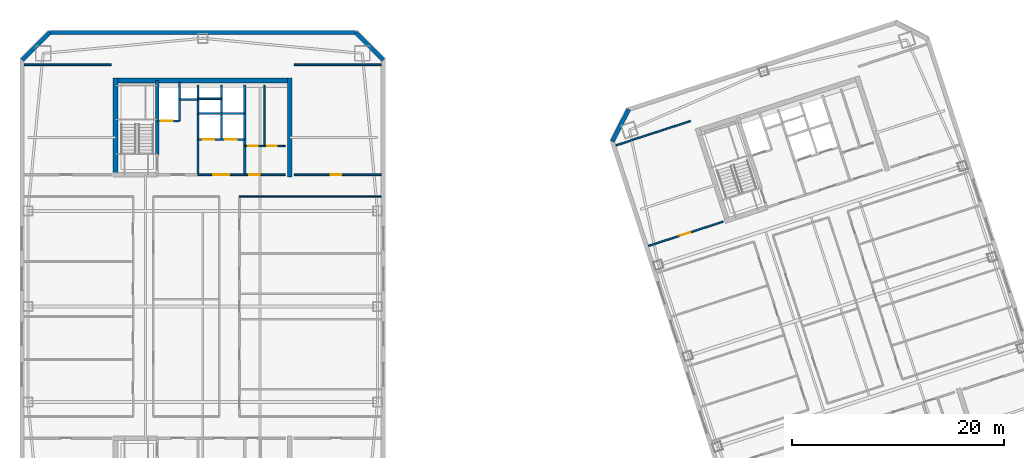
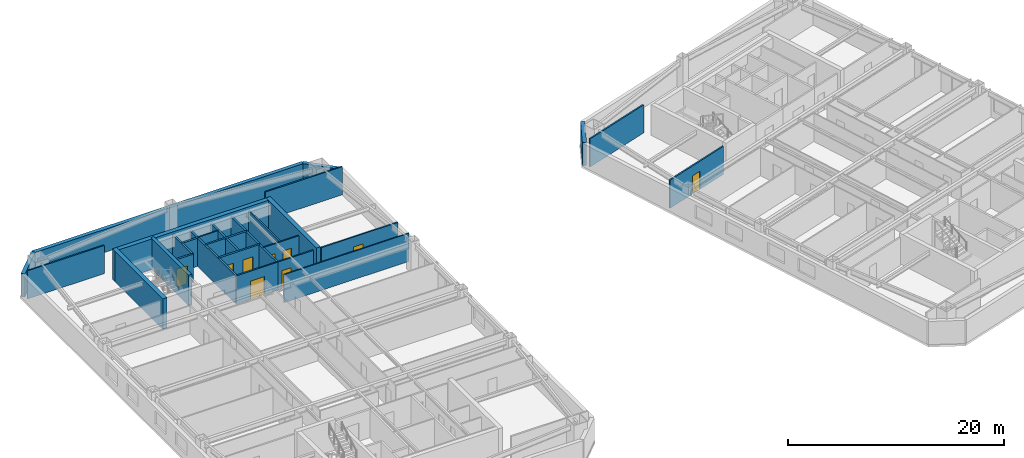
# One storey, part 7 of 13: 27 walls, 9 doors, 9 openings.
"""IFC4 building model written with IfcOpenShell, lengths in metres."""

import ifcopenshell
import ifcopenshell.guid

model = None  # the IFC model being written
_history = None  # IfcOwnerHistory: only IFC2X3 demands one
_inside = {}  # id of a spatial element -> (the spatial element, [elements in it])
_under = {}  # id of a project, library or spatial element -> (it, [spatial elements below it])
_declared = {}  # id of a project -> (the project, [libraries it declares])
_typed = {}  # id of a type object -> (the type object, [elements of that type])
_made_of = {}  # id of a material, layer set ... -> (it, [elements and type objects made of it])


def new_model(schema):
    """Start an empty IFC model of exactly this schema.

    Asked for "IFC4X3", IfcOpenShell would pick the latest addendum, in which some entities
    have other attributes; the version numbers below select the first issue.
    IFC2X3 requires an IfcOwnerHistory on every rooted entity: one is made here for all.
    """
    global model, _history
    if schema == "IFC4X3":
        model = ifcopenshell.file(schema_version=(4, 3, 0, 0))
    else:
        model = ifcopenshell.file(schema=schema)
    _inside.clear()
    _under.clear()
    _declared.clear()
    _typed.clear()
    _made_of.clear()
    _history = None
    if model.schema == "IFC2X3":
        org = make("IfcOrganization", Name="unknown")
        user = make(
            "IfcPersonAndOrganization",
            ThePerson=make("IfcPerson", FamilyName="unknown"),
            TheOrganization=org,
        )
        app = make(
            "IfcApplication",
            ApplicationDeveloper=org,
            Version="unknown",
            ApplicationFullName="unknown",
            ApplicationIdentifier="unknown",
        )
        _history = make(
            "IfcOwnerHistory",
            OwningUser=user,
            OwningApplication=app,
            ChangeAction="ADDED",
            CreationDate=0,
        )
    return model


def make(cls, **values):
    """One entity of the class cls with the attributes given. An attribute that is None is left unset."""
    return model.create_entity(
        cls, **{name: value for name, value in values.items() if value is not None}
    )


def rooted(cls, **values):
    """An entity with a GlobalId (a new one), such as an element, a storey or a relation."""
    return make(cls, GlobalId=ifcopenshell.guid.new(), OwnerHistory=_history, **values)


def si_unit(unit_type, name, prefix=None):
    """IfcSIUnit, for example si_unit("LENGTHUNIT", "METRE", prefix="MILLI")."""
    return make("IfcSIUnit", UnitType=unit_type, Prefix=prefix, Name=name)


def assignment(units):
    """IfcUnitAssignment: the units of a project."""
    return None if units is None else make("IfcUnitAssignment", Units=units)


def point(xyz):
    """IfcCartesianPoint."""
    return None if xyz is None else make("IfcCartesianPoint", Coordinates=xyz)


def direction(xyz):
    """IfcDirection."""
    return None if xyz is None else make("IfcDirection", DirectionRatios=xyz)


def frame(location, z_axis=None, x_axis=None):
    """IfcAxis2Placement3D, a coordinate frame: its origin and axes. An axis left out is left unset."""
    return make(
        "IfcAxis2Placement3D",
        Location=point(location),
        Axis=direction(z_axis),
        RefDirection=direction(x_axis),
    )


def frame_2d(location, x_axis=None):
    """IfcAxis2Placement2D, a coordinate frame in the plane: its origin and x axis."""
    return make(
        "IfcAxis2Placement2D", Location=point(location), RefDirection=direction(x_axis)
    )


def origin():
    """The frame at (0, 0, 0) with its axes left unset."""
    return frame((0.0, 0.0, 0.0))


def place(relative_to, where):
    """IfcLocalPlacement: puts the frame where relative to a parent placement (None: the world)."""
    return make(
        "IfcLocalPlacement", PlacementRelTo=relative_to, RelativePlacement=where
    )


def context(
    kind, dimensions, precision=None, world=None, true_north=None, identifier=None
):
    """IfcGeometricRepresentationContext, for example the 3D "Model" context."""
    return make(
        "IfcGeometricRepresentationContext",
        ContextIdentifier=identifier,
        ContextType=kind,
        CoordinateSpaceDimension=dimensions,
        Precision=precision,
        WorldCoordinateSystem=world,
        TrueNorth=true_north,
    )


def subcontext(parent, identifier, kind, view, scale=None):
    """IfcGeometricRepresentationSubContext, for example "Body" below "Model"."""
    return make(
        "IfcGeometricRepresentationSubContext",
        ContextIdentifier=identifier,
        ContextType=kind,
        ParentContext=parent,
        TargetScale=scale,
        TargetView=view,
    )


def project(units=None, contexts=None):
    """IfcProject with its units and contexts."""
    return rooted(
        "IfcProject",
        Name="project",
        RepresentationContexts=contexts,
        UnitsInContext=assignment(units),
    )


def spatial(cls, under=None, at=None, **own):
    """A site, building, storey or space (cls), placed at a placement, below another one or the project."""
    s = rooted(cls, ObjectPlacement=at, **own)
    if under is not None:
        _under.setdefault(under.id(), (under, []))[1].append(s)
    return s


def profile(cls, at=None, kind="AREA", **sizes):
    """A parametric profile (cls). Its sizes go by their IFC names, for example OverallWidth=200.0."""
    return make(cls, ProfileType=kind, Position=at, **sizes)


def rectangle(**sizes):
    """IfcRectangleProfileDef."""
    return profile("IfcRectangleProfileDef", **sizes)


def extrude(swept, where, along, depth):
    """IfcExtrudedAreaSolid: the profile swept, set in the frame where, extruded along a direction by depth."""
    return make(
        "IfcExtrudedAreaSolid",
        SweptArea=swept,
        Position=where,
        ExtrudedDirection=direction(along),
        Depth=depth,
    )


def shape(context_of_items, identifier, shape_type, items):
    """IfcShapeRepresentation: the items that make up one representation, for example the "Body"."""
    return make(
        "IfcShapeRepresentation",
        ContextOfItems=context_of_items,
        RepresentationIdentifier=identifier,
        RepresentationType=shape_type,
        Items=items,
    )


def material(Name=None, Category=None):
    """IfcMaterial."""
    return make("IfcMaterial", Name=Name, Category=Category)


def layer(
    of_material, thickness, ventilated=None, Name=None, Category=None, Priority=None
):
    """IfcMaterialLayer: one layer of a wall or slab, of a material (None: an air gap)."""
    return make(
        "IfcMaterialLayer",
        Material=of_material,
        LayerThickness=thickness,
        IsVentilated=ventilated,
        Name=Name,
        Category=Category,
        Priority=Priority,
    )


def layer_set(layers, Name=None):
    """IfcMaterialLayerSet."""
    return make("IfcMaterialLayerSet", MaterialLayers=layers, LayerSetName=Name)


def made_of(thing, what):
    """Note that an element or type object is made of a material, layer set ...; save() writes the relation."""
    if what is not None:
        _made_of.setdefault(what.id(), (what, []))[1].append(thing)
    return thing


def type_object(cls, material=None, **own):
    """A type object (cls), such as IfcWallType, which elements share."""
    return made_of(rooted(cls, **own), material)


def element(
    cls,
    number,
    at=None,
    inside=None,
    cuts=None,
    type_object=None,
    material=None,
    context=None,
    identifier="Body",
    shape_type=None,
    held_by="IfcProductDefinitionShape",
    body=None,
    shapes=None,
    **own,
):
    """One element of the class cls, such as IfcWall. Its Tag is "e" and its number.

    at: its placement. inside: the storey or other place that contains it. cuts: it is an
    opening in that element (IfcRelVoidsElement). A single representation is given by context,
    identifier, shape_type and body (its items); several are given by shapes. held_by: the class
    of the entity that holds the representations. save() writes the other relations.
    """
    e = rooted(cls, Tag="e%d" % number, ObjectPlacement=at, **own)
    if body is not None:
        shapes = [shape(context, identifier, shape_type, body)]
    if shapes is not None:
        e.Representation = make(held_by, Representations=shapes)
    if inside is not None:
        _inside.setdefault(inside.id(), (inside, []))[1].append(e)
    if cuts is not None:
        rooted(
            "IfcRelVoidsElement", RelatingBuildingElement=cuts, RelatedOpeningElement=e
        )
    if type_object is not None:
        _typed.setdefault(type_object.id(), (type_object, []))[1].append(e)
    return made_of(e, material)


def fill(opening, filler):
    """IfcRelFillsElement: the door or window that sits in an opening."""
    return rooted(
        "IfcRelFillsElement",
        RelatingOpeningElement=opening,
        RelatedBuildingElement=filler,
    )


def aggregate(whole, parts):
    """IfcRelAggregates: a whole, such as a stair, and the parts it consists of."""
    return rooted("IfcRelAggregates", RelatingObject=whole, RelatedObjects=parts)


def save(model, path):
    """Write the relations noted so far, then the file.

    IfcRelAggregates (storeys below a building ...), IfcRelContainedInSpatialStructure (elements
    in a storey), IfcRelDefinesByType, IfcRelAssociatesMaterial and IfcRelDeclares: one each for
    every whole, place, type object, material and project.
    """
    for whole, parts in _under.values():
        aggregate(whole, parts)
    for where, things in _inside.values():
        rooted(
            "IfcRelContainedInSpatialStructure",
            RelatedElements=things,
            RelatingStructure=where,
        )
    for kind, things in _typed.values():
        rooted("IfcRelDefinesByType", RelatedObjects=things, RelatingType=kind)
    for what, things in _made_of.values():
        rooted("IfcRelAssociatesMaterial", RelatedObjects=things, RelatingMaterial=what)
    for by, libraries in _declared.values():
        rooted("IfcRelDeclares", RelatingContext=by, RelatedDefinitions=libraries)
    model.write(path)


model = new_model("IFC4")

# Units and contexts
model_context = context("Model", 3, precision=1e-05, world=origin(), true_north=direction((0.0, 1.0)))
body_context = subcontext(model_context, "Body", "Model", "MODEL_VIEW")
ifc_project = project(units=[si_unit("LENGTHUNIT", "METRE"), si_unit("AREAUNIT", "SQUARE_METRE"), si_unit("VOLUMEUNIT", "CUBIC_METRE"), si_unit("PLANEANGLEUNIT", "RADIAN"), si_unit("MASSUNIT", "GRAM", prefix="KILO")], contexts=[model_context])

# Site, building, storey
site_placement = place(None, origin())
site = spatial("IfcSite", under=ifc_project, at=site_placement, CompositionType="ELEMENT")
building_placement = place(site_placement, origin())
building = spatial("IfcBuilding", under=site, at=building_placement, Name="Qiaolan Cultural Towers", CompositionType="ELEMENT")
storey_placement = place(building_placement, frame((0.0, 0.0, 192.050048828125)))
storey = spatial("IfcBuildingStorey", under=building, at=storey_placement, Name="L51", CompositionType="ELEMENT", Elevation=192.050048828125)

# Walls
ifc_material_1 = material(Name="Concrete C50", Category="concrete")
ifc_layer_1 = layer(ifc_material_1, 0.35009765625)
ifc_layer_set_1 = layer_set([ifc_layer_1], Name="Concrete C50")
wall_type_1 = type_object("IfcWallType", Name="WL-CORE-350", PredefinedType="SHEAR", material=ifc_layer_set_1)
wall_1_placement = place(storey_placement, frame((25.719970703125, 48.300048828125, 0.0), z_axis=(0.0, 0.0, 1.0), x_axis=(0.0, 1.0, 0.0)))
element("IfcWall", 1, at=wall_1_placement, inside=storey, type_object=wall_type_1, Name="L51 T1-CN Stair Core Dividing Web", PredefinedType="SHEAR", context=body_context, shape_type="SweptSolid", body=[
    extrude(rectangle(XDim=6.97998046875, YDim=0.35009765625, at=frame_2d((3.489990234375, 0.0))), origin(), (0.0, 0.0, 1.0), 3.449951171875),
])
ifc_material_2 = material(Name="Concrete C50", Category="concrete")
ifc_layer_2 = layer(ifc_material_2, 0.449951171875)
ifc_layer_set_2 = layer_set([ifc_layer_2], Name="Concrete C50")
wall_type_2 = type_object("IfcWallType", Name="WL-CORE-450", PredefinedType="SHEAR", material=ifc_layer_set_2)
wall_2_placement = place(storey_placement, frame((21.574951171875, 55.280029296875, 0.0), z_axis=(0.0, 0.0, 1.0), x_axis=(1.0, 0.0, 0.0)))
element("IfcWall", 2, at=wall_2_placement, inside=storey, type_object=wall_type_2, Name="L51 T1-CN Outer Core Shear Wall", PredefinedType="SHEAR", context=body_context, shape_type="SweptSolid", body=[
    extrude(rectangle(XDim=16.85009765625, YDim=0.449951171875, at=frame_2d((8.425048828125, 0.0))), origin(), (0.0, 0.0, 1.0), 3.449951171875),
])
for number, where, z_axis, x_axis, name in (
    (3, (21.800048828125, 46.175048828125, 0.0), (0.0, 0.0, 1.0), (0.0, 1.0, 0.0), "L51 T1-CN West Core Shear Wall"),
    (4, (38.199951171875, 46.175048828125, 0.0), (0.0, 0.0, 1.0), (0.0, 1.0, 0.0), "L51 T1-CN East Core Shear Wall"),
):
    element("IfcWall", number, at=place(storey_placement, frame(where, z_axis=z_axis, x_axis=x_axis)), inside=storey, type_object=wall_type_2, Name=name, PredefinedType="SHEAR", context=body_context, shape_type="SweptSolid", body=[
        extrude(rectangle(XDim=9.329833984375, YDim=0.449951171875, at=frame_2d((4.6650390625, 0.0))), origin(), (0.0, 0.0, 1.0), 3.449951171875),
    ])
ifc_material_3 = material(Name="Precast Concrete C50 Honed Stone Pier", Category="masonry")
ifc_layer_3 = layer(ifc_material_3, 0.39990234375)
ifc_layer_set_3 = layer_set([ifc_layer_3], Name="Precast Concrete C50 Honed Stone Pier")
wall_type_3 = type_object("IfcWallType", Name="WL-EXT-PIER-400", PredefinedType="SOLIDWALL", material=ifc_layer_set_3)
wall_3_placement = place(storey_placement, frame((13.0, 57.199951171875, 0.0), z_axis=(0.0, 0.0, 1.0), x_axis=(0.707106781187, 0.707106781187, 0.0)))
element("IfcWall", 5, at=wall_3_placement, inside=storey, type_object=wall_type_3, Name="L51 West Tower Precast Pier Facade Wall F2", PredefinedType="SOLIDWALL", context=body_context, shape_type="SweptSolid", body=[
    extrude(rectangle(XDim=3.677001953125, YDim=0.39990234375, at=frame_2d((1.83837890625, 0.0))), origin(), (0.0, 0.0, 1.0), 2.60986328125),
])
wall_4_placement = place(storey_placement, frame((15.60009765625, 59.800048828125, 0.0), z_axis=(0.0, 0.0, 1.0), x_axis=(1.0, 0.0, 0.0)))
element("IfcWall", 6, at=wall_4_placement, inside=storey, type_object=wall_type_3, Name="L51 West Tower Precast Pier Facade Wall F3", PredefinedType="SOLIDWALL", context=body_context, shape_type="SweptSolid", body=[
    extrude(rectangle(XDim=28.7998046875, YDim=0.39990234375, at=frame_2d((14.39990234375, 0.0))), origin(), (0.0, 0.0, 1.0), 2.60986328125),
])
wall_5_placement = place(storey_placement, frame((44.39990234375, 59.800048828125, 0.0), z_axis=(0.0, 0.0, 1.0), x_axis=(0.707106781187, -0.707106781187, 0.0)))
element("IfcWall", 7, at=wall_5_placement, inside=storey, type_object=wall_type_3, Name="L51 West Tower Precast Pier Facade Wall F4", PredefinedType="SOLIDWALL", context=body_context, shape_type="SweptSolid", body=[
    extrude(rectangle(XDim=3.677001953125, YDim=0.39990234375, at=frame_2d((1.83837890625, 0.0))), origin(), (0.0, 0.0, 1.0), 2.60986328125),
])
wall_6_placement = place(storey_placement, frame((68.550537109375, 49.531982421875, 0.0), z_axis=(0.0, 0.0, 1.0), x_axis=(0.454019523198, 0.890991735402, 0.0)))
element("IfcWall", 8, at=wall_6_placement, inside=storey, type_object=wall_type_3, Name="L51 East Tower Precast Pier Facade Wall F2", PredefinedType="SOLIDWALL", context=body_context, shape_type="SweptSolid", body=[
    extrude(rectangle(XDim=3.39404296875, YDim=0.39990234375, at=frame_2d((1.697021484375, 0.0))), origin(), (0.0, 0.0, 1.0), 2.60986328125),
])
ifc_material_4 = material(Name="Concrete C35 Fire Wall", Category="concrete")
ifc_layer_4 = layer(ifc_material_4, 0.199951171875)
ifc_layer_set_4 = layer_set([ifc_layer_4], Name="Concrete C35 Fire Wall")
wall_type_4 = type_object("IfcWallType", Name="WL-FIRE-200", PredefinedType="PARTITIONING", material=ifc_layer_set_4)
wall_7_placement = place(storey_placement, frame((29.550048828125, 46.39990234375, 0.0), z_axis=(0.0, 0.0, 1.0), x_axis=(0.0, 1.0, 0.0)))
element("IfcWall", 9, at=wall_7_placement, inside=storey, type_object=wall_type_4, Name="L51 T1-CN Firefighting Zone Wall", PredefinedType="PARTITIONING", context=body_context, shape_type="SweptSolid", body=[
    extrude(rectangle(XDim=8.43017578125, YDim=0.199951171875, at=frame_2d((4.215087890625, 0.0))), origin(), (0.0, 0.0, 1.0), 3.175048828125),
])

# Wall, opening, door
wall_8_placement = place(storey_placement, frame((25.719970703125, 51.449951171875, 0.0), z_axis=(0.0, 0.0, 1.0), x_axis=(1.0, 0.0, 0.0)))
wall_8 = element("IfcWall", 10, at=wall_8_placement, inside=storey, type_object=wall_type_4, Name="L51 T1-CN Firefighting Shaft Front Wall", PredefinedType="PARTITIONING", context=body_context, shape_type="SweptSolid", body=[
    extrude(rectangle(XDim=2.10009765625, YDim=0.199951171875, at=frame_2d((1.050048828125, 0.0))), origin(), (0.0, 0.0, 1.0), 3.175048828125),
])
opening_1_placement = place(wall_8_placement, frame((0.35009765625, 0.0, 0.0)))
opening_1 = element("IfcOpeningElement", 11, at=opening_1_placement, cuts=wall_8, Name="Opening LD-01", PredefinedType="OPENING", context=body_context, shape_type="SweptSolid", body=[
    extrude(rectangle(XDim=1.10009765625, YDim=2.050048828125, at=frame_2d((0.550048828125, 1.02490234375))), frame((0.0, 0.10986328125, 0.0), z_axis=(0.0, -1.0, 0.0), x_axis=(1.0, 0.0, 0.0)), (0.0, 0.0, 1.0), 0.219970703125),
])
ifc_material_5 = material(Name="Brushed Stainless Steel S30408 Centre-Parting Lift Landing Door", Category="steel")
door_type_1 = type_object("IfcDoorType", Name="DR-LIFT-1100", OperationType="NOTDEFINED", PredefinedType="DOOR", material=ifc_material_5)
door_1_placement = place(opening_1_placement, origin())
door_1 = element("IfcDoor", 12, at=door_1_placement, inside=storey, type_object=door_type_1, Name="L51 FFL-W2 Firefighting Lift Landing Door", OperationType="DOUBLE_DOOR_SLIDING", OverallHeight=2.050048828125, OverallWidth=1.10009765625, PredefinedType="DOOR", context=body_context, shape_type="SweptSolid", body=[
    extrude(rectangle(XDim=1.10009765625, YDim=2.050048828125, at=frame_2d((0.550048828125, 1.02490234375))), frame((0.0, 0.02490234375, 0.0), z_axis=(0.0, -1.0, 0.0), x_axis=(1.0, 0.0, 0.0)), (0.0, 0.0, 1.0), 0.050048828125),
])
fill(opening_1, door_1)

# Walls
wall_9_placement = place(storey_placement, frame((27.820068359375, 51.449951171875, 0.0), z_axis=(0.0, 0.0, 1.0), x_axis=(0.0, 1.0, 0.0)))
element("IfcWall", 13, at=wall_9_placement, inside=storey, type_object=wall_type_4, Name="L51 T1-CN Firefighting Hoistway East Wall", PredefinedType="PARTITIONING", context=body_context, shape_type="SweptSolid", body=[
    extrude(rectangle(XDim=3.699951171875, YDim=0.199951171875, at=frame_2d((1.85009765625, 0.0))), origin(), (0.0, 0.0, 1.0), 3.175048828125),
])
wall_10_placement = place(storey_placement, frame((27.820068359375, 53.47998046875, 0.0), z_axis=(0.0, 0.0, 1.0), x_axis=(1.0, 0.0, 0.0)))
element("IfcWall", 14, at=wall_10_placement, inside=storey, type_object=wall_type_4, Name="L51 T1-CN Pressurization Shaft Front Wall", PredefinedType="PARTITIONING", context=body_context, shape_type="SweptSolid", body=[
    extrude(rectangle(XDim=1.72998046875, YDim=0.199951171875, at=frame_2d((0.864990234375, 0.0))), origin(), (0.0, 0.0, 1.0), 3.175048828125),
])
wall_11_placement = place(storey_placement, frame((33.949951171875, 46.39990234375, 0.0), z_axis=(0.0, 0.0, 1.0), x_axis=(0.0, 1.0, 0.0)))
element("IfcWall", 15, at=wall_11_placement, inside=storey, type_object=wall_type_4, Name="L51 T1-CN Lift Core East Wall", PredefinedType="PARTITIONING", context=body_context, shape_type="SweptSolid", body=[
    extrude(rectangle(XDim=8.43017578125, YDim=0.199951171875, at=frame_2d((4.215087890625, 0.0))), origin(), (0.0, 0.0, 1.0), 3.175048828125),
])

# Wall, openings, doors
wall_12_placement = place(storey_placement, frame((29.550048828125, 49.719970703125, 0.0), z_axis=(0.0, 0.0, 1.0), x_axis=(1.0, 0.0, 0.0)))
wall_12 = element("IfcWall", 16, at=wall_12_placement, inside=storey, type_object=wall_type_4, Name="L51 T1-CN Passenger Lift Shaft Front Wall", PredefinedType="PARTITIONING", context=body_context, shape_type="SweptSolid", body=[
    extrude(rectangle(XDim=4.39990234375, YDim=0.199951171875, at=frame_2d((2.199951171875, 0.0))), origin(), (0.0, 0.0, 1.0), 3.175048828125),
])
opening_2_placement = place(wall_12_placement, frame((0.449951171875, 0.0, 0.0)))
opening_2 = element("IfcOpeningElement", 17, at=opening_2_placement, cuts=wall_12, Name="Opening LD-01", PredefinedType="OPENING", context=body_context, shape_type="SweptSolid", body=[
    extrude(rectangle(XDim=1.10009765625, YDim=2.050048828125, at=frame_2d((0.550048828125, 1.02490234375))), frame((0.0, 0.10986328125, 0.0), z_axis=(0.0, -1.0, 0.0), x_axis=(1.0, 0.0, 0.0)), (0.0, 0.0, 1.0), 0.219970703125),
])
opening_3_placement = place(wall_12_placement, frame((2.550048828125, 0.0, 0.0)))
opening_3 = element("IfcOpeningElement", 18, at=opening_3_placement, cuts=wall_12, Name="Opening LD-01", PredefinedType="OPENING", context=body_context, shape_type="SweptSolid", body=[
    extrude(rectangle(XDim=1.10009765625, YDim=2.050048828125, at=frame_2d((0.550048828125, 1.02490234375))), frame((0.0, 0.10986328125, 0.0), z_axis=(0.0, -1.0, 0.0), x_axis=(1.0, 0.0, 0.0)), (0.0, 0.0, 1.0), 0.219970703125),
])
door_2_placement = place(opening_2_placement, origin())
door_2 = element("IfcDoor", 19, at=door_2_placement, inside=storey, type_object=door_type_1, Name="L51 Passenger Lift 1 Landing Door", OperationType="DOUBLE_DOOR_SLIDING", OverallHeight=2.050048828125, OverallWidth=1.10009765625, PredefinedType="DOOR", context=body_context, shape_type="SweptSolid", body=[
    extrude(rectangle(XDim=1.10009765625, YDim=2.050048828125, at=frame_2d((0.550048828125, 1.02490234375))), frame((0.0, 0.02490234375, 0.0), z_axis=(0.0, -1.0, 0.0), x_axis=(1.0, 0.0, 0.0)), (0.0, 0.0, 1.0), 0.050048828125),
])
fill(opening_2, door_2)
door_3_placement = place(opening_3_placement, origin())
door_3 = element("IfcDoor", 20, at=door_3_placement, inside=storey, type_object=door_type_1, Name="L51 Passenger Lift 2 Landing Door", OperationType="DOUBLE_DOOR_SLIDING", OverallHeight=2.050048828125, OverallWidth=1.10009765625, PredefinedType="DOOR", context=body_context, shape_type="SweptSolid", body=[
    extrude(rectangle(XDim=1.10009765625, YDim=2.050048828125, at=frame_2d((0.550048828125, 1.02490234375))), frame((0.0, 0.02490234375, 0.0), z_axis=(0.0, -1.0, 0.0), x_axis=(1.0, 0.0, 0.0)), (0.0, 0.0, 1.0), 0.050048828125),
])
fill(opening_3, door_3)

# Walls
wall_13_placement = place(storey_placement, frame((31.780029296875, 49.719970703125, 0.0), z_axis=(0.0, 0.0, 1.0), x_axis=(0.0, 1.0, 0.0)))
element("IfcWall", 21, at=wall_13_placement, inside=storey, type_object=wall_type_4, Name="L51 T1-CN Lift Shaft Divider Wall", PredefinedType="PARTITIONING", context=body_context, shape_type="SweptSolid", body=[
    extrude(rectangle(XDim=5.110107421875, YDim=0.199951171875, at=frame_2d((2.55517578125, 0.0))), origin(), (0.0, 0.0, 1.0), 3.175048828125),
])
wall_14_placement = place(storey_placement, frame((29.550048828125, 52.14990234375, 0.0), z_axis=(0.0, 0.0, 1.0), x_axis=(1.0, 0.0, 0.0)))
element("IfcWall", 22, at=wall_14_placement, inside=storey, type_object=wall_type_4, Name="L51 T1-CN Passenger Lift Shaft Back Wall", PredefinedType="PARTITIONING", context=body_context, shape_type="SweptSolid", body=[
    extrude(rectangle(XDim=4.39990234375, YDim=0.199951171875, at=frame_2d((2.199951171875, 0.0))), origin(), (0.0, 0.0, 1.0), 3.175048828125),
])
ifc_material_6 = material(Name="Gypsum Stud Acoustic Partition", Category="gypsum")
ifc_layer_5 = layer(ifc_material_6, 0.1201171875)
ifc_layer_set_5 = layer_set([ifc_layer_5], Name="Gypsum Stud Acoustic Partition")
wall_type_5 = type_object("IfcWallType", Name="WL-PART-120", PredefinedType="PARTITIONING", material=ifc_layer_set_5)
wall_15_placement = place(storey_placement, frame((33.449951171875, 44.35009765625, 0.0), z_axis=(0.0, 0.0, 1.0), x_axis=(1.0, 0.0, 0.0)))
element("IfcWall", 23, at=wall_15_placement, inside=storey, type_object=wall_type_5, Name="L51 T1 Interior Wall", PredefinedType="PARTITIONING", context=body_context, shape_type="SweptSolid", body=[
    extrude(rectangle(XDim=13.35009765625, YDim=0.1201171875, at=frame_2d((6.675048828125, 0.0))), origin(), (0.0, 0.0, 1.0), 3.175048828125),
])

# Wall, opening, door
ifc_material_7 = material(Name="Autoclaved Aerated Concrete Block B06", Category="concrete")
ifc_layer_6 = layer(ifc_material_7, 0.14990234375)
ifc_layer_set_6 = layer_set([ifc_layer_6], Name="Autoclaved Aerated Concrete Block B06")
wall_type_6 = type_object("IfcWallType", Name="WL-PART-150", PredefinedType="PARTITIONING", material=ifc_layer_set_6)
wall_16_placement = place(storey_placement, frame((29.550048828125, 46.39990234375, 0.0), z_axis=(0.0, 0.0, 1.0), x_axis=(1.0, 0.0, 0.0)))
wall_16 = element("IfcWall", 24, at=wall_16_placement, inside=storey, type_object=wall_type_6, Name="L51 T1-CN Passenger Lift Lobby Front Wall", PredefinedType="PARTITIONING", context=body_context, shape_type="SweptSolid", body=[
    extrude(rectangle(XDim=4.39990234375, YDim=0.14990234375, at=frame_2d((2.199951171875, 0.0))), origin(), (0.0, 0.0, 1.0), 3.175048828125),
])
opening_4_placement = place(wall_16_placement, frame((1.449951171875, 0.0, 0.0)))
opening_4 = element("IfcOpeningElement", 25, at=opening_4_placement, cuts=wall_16, Name="Opening FD-05", PredefinedType="OPENING", context=body_context, shape_type="SweptSolid", body=[
    extrude(rectangle(XDim=1.5, YDim=2.050048828125, at=frame_2d((0.75, 1.02490234375))), frame((0.0, 0.0849609375, 0.0), z_axis=(0.0, -1.0, 0.0), x_axis=(1.0, 0.0, 0.0)), (0.0, 0.0, 1.0), 0.169921875),
])
ifc_material_8 = material(Name="Painted Steel Lift Lobby Fire Door", Category="steel")
door_type_2 = type_object("IfcDoorType", Name="DR-FD60-1500", OperationType="NOTDEFINED", PredefinedType="DOOR", material=ifc_material_8)
door_4_placement = place(opening_4_placement, origin())
door_4 = element("IfcDoor", 26, at=door_4_placement, inside=storey, type_object=door_type_2, Name="L51 Passenger Lift Lobby Entrance", OperationType="SINGLE_SWING_LEFT", OverallHeight=2.050048828125, OverallWidth=1.5, PredefinedType="DOOR", context=body_context, shape_type="SweptSolid", body=[
    extrude(rectangle(XDim=1.5, YDim=2.050048828125, at=frame_2d((0.75, 1.02490234375))), frame((0.0, 0.02490234375, 0.0), z_axis=(0.0, -1.0, 0.0), x_axis=(1.0, 0.0, 0.0)), (0.0, 0.0, 1.0), 0.050048828125),
])
fill(opening_4, door_4)

# Wall
wall_17_placement = place(storey_placement, frame((29.550048828125, 53.550048828125, 0.0), z_axis=(0.0, 0.0, 1.0), x_axis=(1.0, 0.0, 0.0)))
element("IfcWall", 27, at=wall_17_placement, inside=storey, type_object=wall_type_6, Name="L51 T1-CN Core Rear Riser Split", PredefinedType="PARTITIONING", context=body_context, shape_type="SweptSolid", body=[
    extrude(rectangle(XDim=2.22998046875, YDim=0.14990234375, at=frame_2d((1.114990234375, 0.0))), origin(), (0.0, 0.0, 1.0), 3.175048828125),
])

# Wall, opening, door
wall_18_placement = place(storey_placement, frame((33.949951171875, 46.39990234375, 0.0), z_axis=(0.0, 0.0, 1.0), x_axis=(1.0, 0.0, 0.0)))
wall_18 = element("IfcWall", 28, at=wall_18_placement, inside=storey, type_object=wall_type_6, Name="L51 T1-CN Sanitary Core Front Wall", PredefinedType="PARTITIONING", context=body_context, shape_type="SweptSolid", body=[
    extrude(rectangle(XDim=3.800048828125, YDim=0.14990234375, at=frame_2d((1.89990234375, 0.0))), origin(), (0.0, 0.0, 1.0), 3.175048828125),
])
opening_5_placement = place(wall_18_placement, frame((0.449951171875, 0.0, 0.0)))
opening_5 = element("IfcOpeningElement", 29, at=opening_5_placement, cuts=wall_18, Name="Opening ID-05", PredefinedType="OPENING", context=body_context, shape_type="SweptSolid", body=[
    extrude(rectangle(XDim=0.949951171875, YDim=2.050048828125, at=frame_2d((0.47509765625, 1.02490234375))), frame((0.0, 0.0849609375, 0.0), z_axis=(0.0, -1.0, 0.0), x_axis=(1.0, 0.0, 0.0)), (0.0, 0.0, 1.0), 0.169921875),
])
ifc_material_9 = material(Name="Fire-Rated Laminate Accessible Core Door", Category="timber")
door_type_3 = type_object("IfcDoorType", Name="DR-INT-950", OperationType="NOTDEFINED", PredefinedType="DOOR", material=ifc_material_9)
door_5_placement = place(opening_5_placement, origin())
door_5 = element("IfcDoor", 30, at=door_5_placement, inside=storey, type_object=door_type_3, Name="L51 Sanitary Vestibule Door", OperationType="SINGLE_SWING_LEFT", OverallHeight=2.050048828125, OverallWidth=0.949951171875, PredefinedType="DOOR", context=body_context, shape_type="SweptSolid", body=[
    extrude(rectangle(XDim=0.949951171875, YDim=2.050048828125, at=frame_2d((0.47509765625, 1.02490234375))), frame((0.0, 0.02490234375, 0.0), z_axis=(0.0, -1.0, 0.0), x_axis=(1.0, 0.0, 0.0)), (0.0, 0.0, 1.0), 0.050048828125),
])
fill(opening_5, door_5)

# Wall, openings, doors
wall_19_placement = place(storey_placement, frame((33.949951171875, 49.10009765625, 0.0), z_axis=(0.0, 0.0, 1.0), x_axis=(1.0, 0.0, 0.0)))
wall_19 = element("IfcWall", 31, at=wall_19_placement, inside=storey, type_object=wall_type_6, Name="L51 T1-CN Restroom Vestibule Wall", PredefinedType="PARTITIONING", context=body_context, shape_type="SweptSolid", body=[
    extrude(rectangle(XDim=3.800048828125, YDim=0.14990234375, at=frame_2d((1.89990234375, 0.0))), origin(), (0.0, 0.0, 1.0), 3.175048828125),
])
opening_6_placement = place(wall_19_placement, frame((0.35009765625, 0.0, 0.0)))
opening_6 = element("IfcOpeningElement", 32, at=opening_6_placement, cuts=wall_19, Name="Opening ID-06", PredefinedType="OPENING", context=body_context, shape_type="SweptSolid", body=[
    extrude(rectangle(XDim=0.89990234375, YDim=2.050048828125, at=frame_2d((0.449951171875, 1.02490234375))), frame((0.0, 0.0849609375, 0.0), z_axis=(0.0, -1.0, 0.0), x_axis=(1.0, 0.0, 0.0)), (0.0, 0.0, 1.0), 0.169921875),
])
opening_7_placement = place(wall_19_placement, frame((2.10009765625, 0.0, 0.0)))
opening_7 = element("IfcOpeningElement", 33, at=opening_7_placement, cuts=wall_19, Name="Opening ID-06", PredefinedType="OPENING", context=body_context, shape_type="SweptSolid", body=[
    extrude(rectangle(XDim=0.89990234375, YDim=2.050048828125, at=frame_2d((0.449951171875, 1.02490234375))), frame((0.0, 0.0849609375, 0.0), z_axis=(0.0, -1.0, 0.0), x_axis=(1.0, 0.0, 0.0)), (0.0, 0.0, 1.0), 0.169921875),
])
ifc_material_10 = material(Name="Fire-Rated Laminate Core Service Door", Category="timber")
door_type_4 = type_object("IfcDoorType", Name="DR-INT-900", OperationType="NOTDEFINED", PredefinedType="DOOR", material=ifc_material_10)
door_6_placement = place(opening_6_placement, origin())
door_6 = element("IfcDoor", 34, at=door_6_placement, inside=storey, type_object=door_type_4, Name="L51 Men Restroom Door", OperationType="SINGLE_SWING_LEFT", OverallHeight=2.050048828125, OverallWidth=0.89990234375, PredefinedType="DOOR", context=body_context, shape_type="SweptSolid", body=[
    extrude(rectangle(XDim=0.89990234375, YDim=2.050048828125, at=frame_2d((0.449951171875, 1.02490234375))), frame((0.0, 0.02490234375, 0.0), z_axis=(0.0, -1.0, 0.0), x_axis=(1.0, 0.0, 0.0)), (0.0, 0.0, 1.0), 0.050048828125),
])
fill(opening_6, door_6)
door_7_placement = place(opening_7_placement, origin())
door_7 = element("IfcDoor", 35, at=door_7_placement, inside=storey, type_object=door_type_4, Name="L51 Accessible & Women Restroom Door", OperationType="SINGLE_SWING_RIGHT", OverallHeight=2.050048828125, OverallWidth=0.89990234375, PredefinedType="DOOR", context=body_context, shape_type="SweptSolid", body=[
    extrude(rectangle(XDim=0.89990234375, YDim=2.050048828125, at=frame_2d((0.449951171875, 1.02490234375))), frame((0.0, 0.02490234375, 0.0), z_axis=(0.0, -1.0, 0.0), x_axis=(1.0, 0.0, 0.0)), (0.0, 0.0, 1.0), 0.050048828125),
])
fill(opening_7, door_7)

# Walls
wall_20_placement = place(storey_placement, frame((35.800048828125, 49.10009765625, 0.0), z_axis=(0.0, 0.0, 1.0), x_axis=(0.0, 1.0, 0.0)))
element("IfcWall", 36, at=wall_20_placement, inside=storey, type_object=wall_type_6, Name="L51 T1-CN Restroom Divider Wall", PredefinedType="PARTITIONING", context=body_context, shape_type="SweptSolid", body=[
    extrude(rectangle(XDim=5.72998046875, YDim=0.14990234375, at=frame_2d((2.864990234375, 0.0))), origin(), (0.0, 0.0, 1.0), 3.175048828125),
])
for number, where, z_axis, x_axis, name in (
    (37, (13.199951171875, 56.75, 0.0), (0.0, 0.0, 1.0), (1.0, 0.0, 0.0), "L51 T1 Flank Wall FLK-NW"),
    (38, (38.60009765625, 56.75, 0.0), (0.0, 0.0, 1.0), (1.0, 0.0, 0.0), "L51 T1 Flank Wall FLK-NE"),
):
    element("IfcWall", number, at=place(storey_placement, frame(where, z_axis=z_axis, x_axis=x_axis)), inside=storey, type_object=wall_type_6, Name=name, PredefinedType="PARTITIONING", context=body_context, shape_type="SweptSolid", body=[
        extrude(rectangle(XDim=8.199951171875, YDim=0.14990234375, at=frame_2d((4.10009765625, 0.0))), origin(), (0.0, 0.0, 1.0), 3.175048828125),
    ])

# Wall, opening, door
wall_21_placement = place(storey_placement, frame((38.60009765625, 46.39990234375, 0.0), z_axis=(0.0, 0.0, 1.0), x_axis=(1.0, 0.0, 0.0)))
wall_21 = element("IfcWall", 39, at=wall_21_placement, inside=storey, type_object=wall_type_6, Name="L51 T1 Flank Front FLK-NE", PredefinedType="PARTITIONING", context=body_context, shape_type="SweptSolid", body=[
    extrude(rectangle(XDim=8.199951171875, YDim=0.14990234375, at=frame_2d((4.10009765625, 0.0))), origin(), (0.0, 0.0, 1.0), 3.175048828125),
])
opening_8_placement = place(wall_21_placement, frame((3.444091796875, 0.0, 0.0)))
opening_8 = element("IfcOpeningElement", 40, at=opening_8_placement, cuts=wall_21, Name="Opening ID-04", PredefinedType="OPENING", context=body_context, shape_type="SweptSolid", body=[
    extrude(rectangle(XDim=1.0, YDim=2.050048828125, at=frame_2d((0.5, 1.02490234375))), frame((0.0, 0.0849609375, 0.0), z_axis=(0.0, -1.0, 0.0), x_axis=(1.0, 0.0, 0.0)), (0.0, 0.0, 1.0), 0.169921875),
])
ifc_material_11 = material(Name="Oak Veneer Acoustic Office Door", Category="timber")
door_type_5 = type_object("IfcDoorType", Name="DR-INT-1000", OperationType="NOTDEFINED", PredefinedType="DOOR", material=ifc_material_11)
door_8_placement = place(opening_8_placement, origin())
door_8 = element("IfcDoor", 41, at=door_8_placement, inside=storey, type_object=door_type_5, Name="L51 T1 Corner Studio Door", OperationType="SINGLE_SWING_LEFT", OverallHeight=2.050048828125, OverallWidth=1.0, PredefinedType="DOOR", context=body_context, shape_type="SweptSolid", body=[
    extrude(rectangle(XDim=1.0, YDim=2.050048828125, at=frame_2d((0.5, 1.02490234375))), frame((0.0, 0.02490234375, 0.0), z_axis=(0.0, -1.0, 0.0), x_axis=(1.0, 0.0, 0.0)), (0.0, 0.0, 1.0), 0.050048828125),
])
fill(opening_8, door_8)

# Wall
wall_22_placement = place(storey_placement, frame((68.8798828125, 49.165771484375, 0.0), z_axis=(0.0, 0.0, 1.0), x_axis=(0.951060977215, 0.309003264738, 0.0)))
element("IfcWall", 42, at=wall_22_placement, inside=storey, type_object=wall_type_6, Name="L51 T2 Flank Wall FLK-NW", PredefinedType="PARTITIONING", context=body_context, shape_type="SweptSolid", body=[
    extrude(rectangle(XDim=7.39990234375, YDim=0.14990234375, at=frame_2d((3.699951171875, 0.0))), origin(), (0.0, 0.0, 1.0), 3.175048828125),
])

# Wall, opening, door
wall_23_placement = place(storey_placement, frame((71.95458984375, 39.702880859375, 0.0), z_axis=(0.0, 0.0, 1.0), x_axis=(0.951060977215, 0.309003264738, 0.0)))
wall_23 = element("IfcWall", 43, at=wall_23_placement, inside=storey, type_object=wall_type_6, Name="L51 T2 Flank Front FLK-NW", PredefinedType="PARTITIONING", context=body_context, shape_type="SweptSolid", body=[
    extrude(rectangle(XDim=7.39990234375, YDim=0.14990234375, at=frame_2d((3.699951171875, 0.0))), origin(), (0.0, 0.0, 1.0), 3.175048828125),
])
opening_9_placement = place(wall_23_placement, frame((3.10791015625, 0.0, 0.0)))
opening_9 = element("IfcOpeningElement", 44, at=opening_9_placement, cuts=wall_23, Name="Opening ID-04", PredefinedType="OPENING", context=body_context, shape_type="SweptSolid", body=[
    extrude(rectangle(XDim=1.0, YDim=2.050048828125, at=frame_2d((0.5, 1.02490234375))), frame((0.0, 0.0849609375, 0.0), z_axis=(0.0, -1.0, 0.0), x_axis=(1.0, 0.0, 0.0)), (0.0, 0.0, 1.0), 0.169921875),
])
door_9_placement = place(opening_9_placement, origin())
door_9 = element("IfcDoor", 45, at=door_9_placement, inside=storey, type_object=door_type_5, Name="L51 T2 Corner Studio Door", OperationType="SINGLE_SWING_LEFT", OverallHeight=2.050048828125, OverallWidth=1.0, PredefinedType="DOOR", context=body_context, shape_type="SweptSolid", body=[
    extrude(rectangle(XDim=1.0, YDim=2.050048828125, at=frame_2d((0.5, 1.02490234375))), frame((0.0, 0.02490234375, 0.0), z_axis=(0.0, -1.0, 0.0), x_axis=(1.0, 0.0, 0.0)), (0.0, 0.0, 1.0), 0.050048828125),
])
fill(opening_9, door_9)

save(model, "model.ifc")
